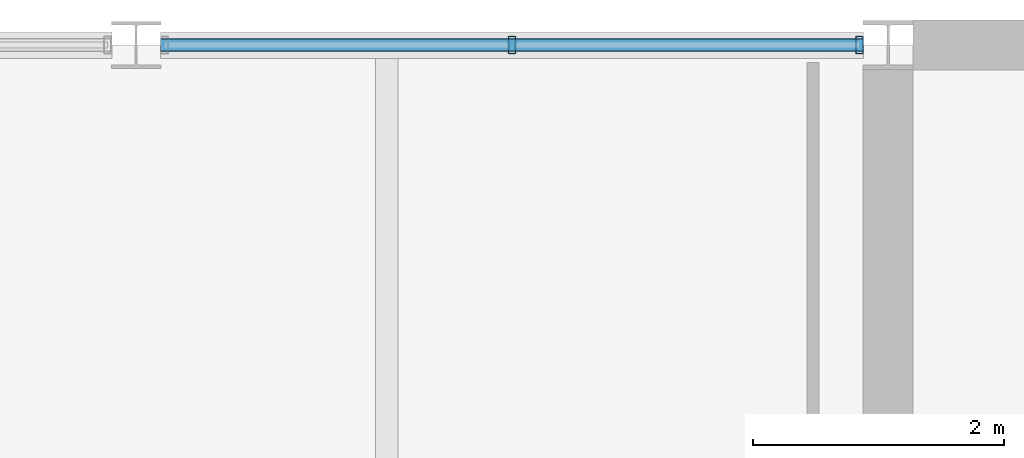
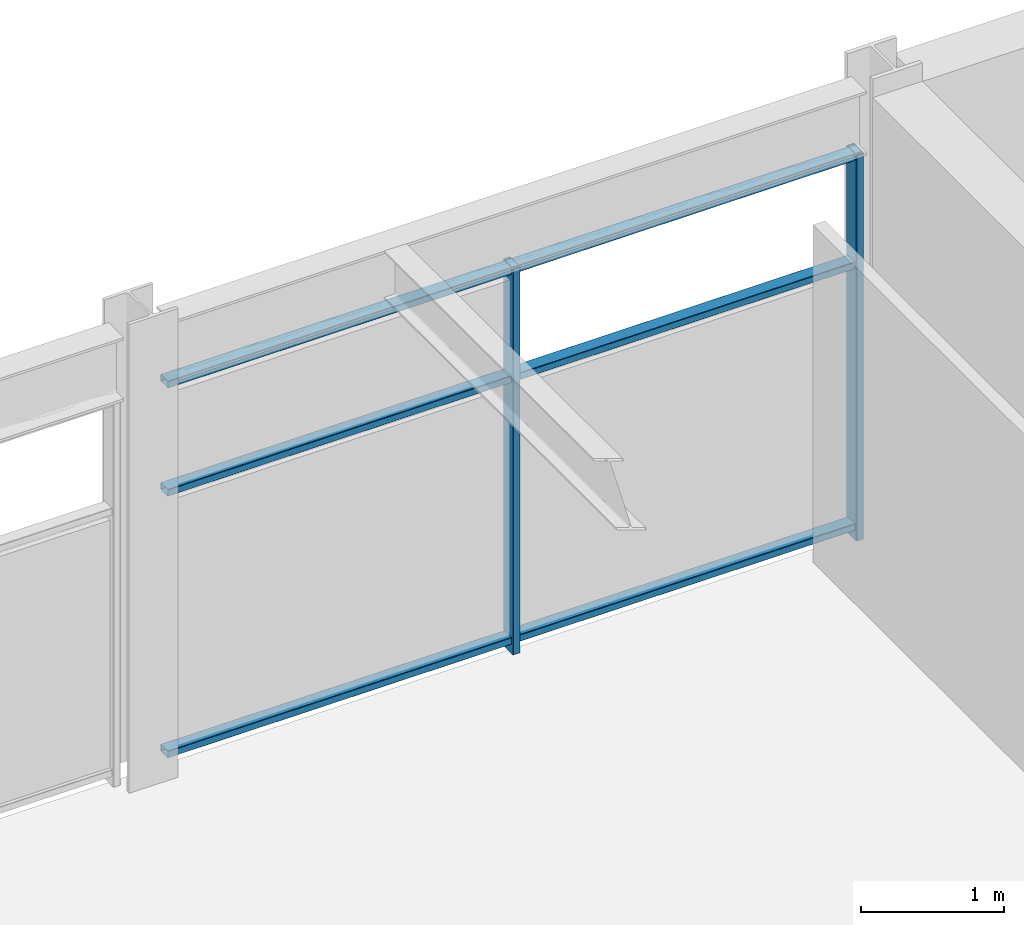
# One storey, part 37 of 52: 5 members, 1 element without a shape of its own.
"""IFC4 building model written with IfcOpenShell, lengths in metres."""

from ifc_helpers import new_model, si_unit, direction, frame, origin, origin_2d, place, context, subcontext, project, spatial, hollow_rectangle, extrude, material, material_profile, profile_set, type_object, element, aggregate, save


model = new_model("IFC4")

# Units and contexts
model_context = context("Model", 3, precision=1e-05, world=origin(), true_north=direction((0.0, 1.0)))
body_context = subcontext(model_context, "Body", "Model", "MODEL_VIEW")
ifc_project = project(units=[si_unit("LENGTHUNIT", "METRE"), si_unit("AREAUNIT", "SQUARE_METRE"), si_unit("VOLUMEUNIT", "CUBIC_METRE"), si_unit("PLANEANGLEUNIT", "RADIAN"), si_unit("MASSUNIT", "GRAM", prefix="KILO")], contexts=[model_context])

# Site, building, storey
site_placement = place(None, origin())
site = spatial("IfcSite", under=ifc_project, at=site_placement, CompositionType="ELEMENT")
building_placement = place(site_placement, origin())
building = spatial("IfcBuilding", under=site, at=building_placement, Name="Girod Span Mobility Hub", CompositionType="ELEMENT")
storey_placement = place(building_placement, frame((0.0, 0.0, 45.60009765625)))
storey = spatial("IfcBuildingStorey", under=building, at=storey_placement, Name="L11", CompositionType="ELEMENT", Elevation=45.60009765625)

# Curtain wall, members
ifc_material_1 = material(Name="Thermally Broken Anodised Aluminium", Category="aluminium")
curtain_wall_type = type_object("IfcCurtainWallType", Name="CW-561X330", PredefinedType="USERDEFINED", material=ifc_material_1)
curtain_wall_placement = place(storey_placement, origin())
curtain_wall = element("IfcCurtainWall", 1, at=curtain_wall_placement, inside=storey, type_object=curtain_wall_type, Name="Unitised Curtain Wall CW-L11-N09E L11", ObjectType="UNITISED CURTAIN WALL", PredefinedType="USERDEFINED")
ifc_material_2 = material(Name="Thermally Broken Anodised Aluminium", Category="aluminium")
ifc_material_profile_1 = material_profile(ifc_material_2, hollow_rectangle(XDim=0.139892578125, YDim=0.06005859375, WallThickness=0.00341796875, InnerFilletRadius=0.00341796875, OuterFilletRadius=0.007080078125, at=origin_2d()), Name="CW-ML-60X140")
ifc_profile_set_1 = profile_set([ifc_material_profile_1], Name="Thermally Broken Anodised Aluminium")
member_type_1 = type_object("IfcMemberType", Name="CWM-ML-4", PredefinedType="MULLION", material=ifc_profile_set_1)
member_1_placement = place(storey_placement, frame((104.998779296875, 69.0, 0.0), z_axis=(0.0, 0.0, 1.0), x_axis=(0.0, 1.0, 0.0)))
member_1 = element("IfcMember", 2, at=member_1_placement, type_object=member_type_1, Name="Curtain Wall Mullion CW-L11-N09E-M1", PredefinedType="MULLION", context=body_context, shape_type="SweptSolid", body=[
    extrude(hollow_rectangle(XDim=0.139892578125, YDim=0.06005859375, WallThickness=0.00341796875, InnerFilletRadius=0.00341796875, OuterFilletRadius=0.007080078125, at=origin_2d()), origin(), (0.0, 0.0, 1.0), 3.2958984375),
])
member_2_placement = place(storey_placement, frame((107.7705078125, 69.0, 0.0), z_axis=(0.0, 0.0, 1.0), x_axis=(0.0, 1.0, 0.0)))
member_2 = element("IfcMember", 3, at=member_2_placement, type_object=member_type_1, Name="Curtain Wall Mullion CW-L11-N09E-M2", PredefinedType="MULLION", context=body_context, shape_type="SweptSolid", body=[
    extrude(hollow_rectangle(XDim=0.139892578125, YDim=0.06005859375, WallThickness=0.00341796875, InnerFilletRadius=0.00341796875, OuterFilletRadius=0.007080078125, at=origin_2d()), origin(), (0.0, 0.0, 1.0), 3.2958984375),
])
ifc_material_3 = material(Name="Thermally Broken Anodised Aluminium", Category="aluminium")
ifc_material_profile_2 = material_profile(ifc_material_3, hollow_rectangle(XDim=0.10498046875, YDim=0.06005859375, WallThickness=0.00341796875, InnerFilletRadius=0.00341796875, OuterFilletRadius=0.007080078125, at=origin_2d()), Name="CW-TR-60X105")
ifc_profile_set_2 = profile_set([ifc_material_profile_2], Name="Thermally Broken Anodised Aluminium")
member_type_2 = type_object("IfcMemberType", Name="CWM-TR-4", PredefinedType="USERDEFINED", material=ifc_profile_set_2)
member_3_placement = place(storey_placement, frame((102.195068359375, 69.0, 0.10986328125), z_axis=(1.0, 0.0, 0.0), x_axis=(0.0, 1.0, 0.0)))
member_3 = element("IfcMember", 4, at=member_3_placement, type_object=member_type_2, Name="Curtain Wall Transom CW-L11-N09E-T1", ObjectType="TRANSOM", PredefinedType="USERDEFINED", context=body_context, shape_type="SweptSolid", body=[
    extrude(hollow_rectangle(XDim=0.10498046875, YDim=0.06005859375, WallThickness=0.00341796875, InnerFilletRadius=0.00341796875, OuterFilletRadius=0.007080078125, at=origin_2d()), origin(), (0.0, 0.0, 1.0), 5.607421875),
])
member_4_placement = place(storey_placement, frame((102.195068359375, 69.0, 2.343017578125), z_axis=(1.0, 0.0, 0.0), x_axis=(0.0, 1.0, 0.0)))
member_4 = element("IfcMember", 5, at=member_4_placement, type_object=member_type_2, Name="Curtain Wall Transom CW-L11-N09E-T2", ObjectType="TRANSOM", PredefinedType="USERDEFINED", context=body_context, shape_type="SweptSolid", body=[
    extrude(hollow_rectangle(XDim=0.10498046875, YDim=0.06005859375, WallThickness=0.00341796875, InnerFilletRadius=0.00341796875, OuterFilletRadius=0.007080078125, at=origin_2d()), origin(), (0.0, 0.0, 1.0), 5.607421875),
])
member_5_placement = place(storey_placement, frame((102.195068359375, 69.0, 3.265869140625), z_axis=(1.0, 0.0, 0.0), x_axis=(0.0, 1.0, 0.0)))
member_5 = element("IfcMember", 6, at=member_5_placement, type_object=member_type_2, Name="Curtain Wall Transom CW-L11-N09E-T3", ObjectType="TRANSOM", PredefinedType="USERDEFINED", context=body_context, shape_type="SweptSolid", body=[
    extrude(hollow_rectangle(XDim=0.10498046875, YDim=0.06005859375, WallThickness=0.00341796875, InnerFilletRadius=0.00341796875, OuterFilletRadius=0.007080078125, at=origin_2d()), origin(), (0.0, 0.0, 1.0), 5.607421875),
])
aggregate(curtain_wall, [member_1, member_2, member_3, member_4, member_5])

save(model, "model.ifc")
